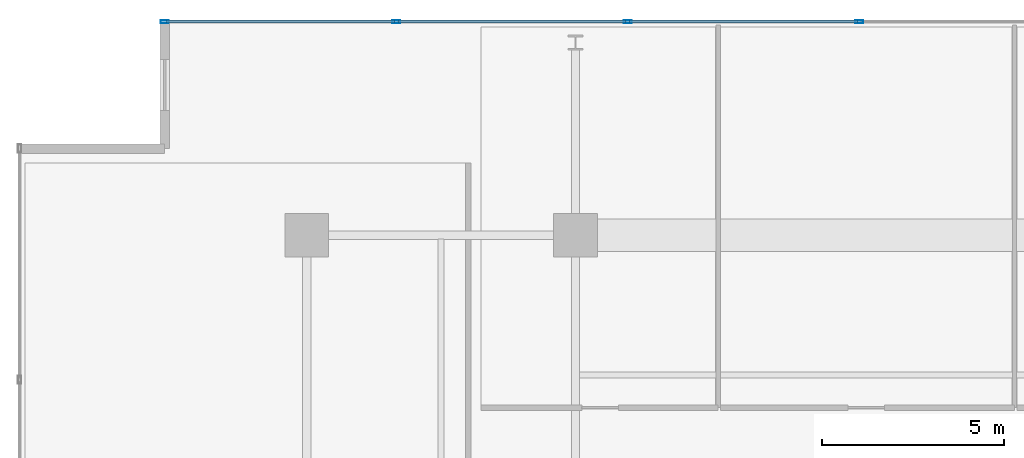
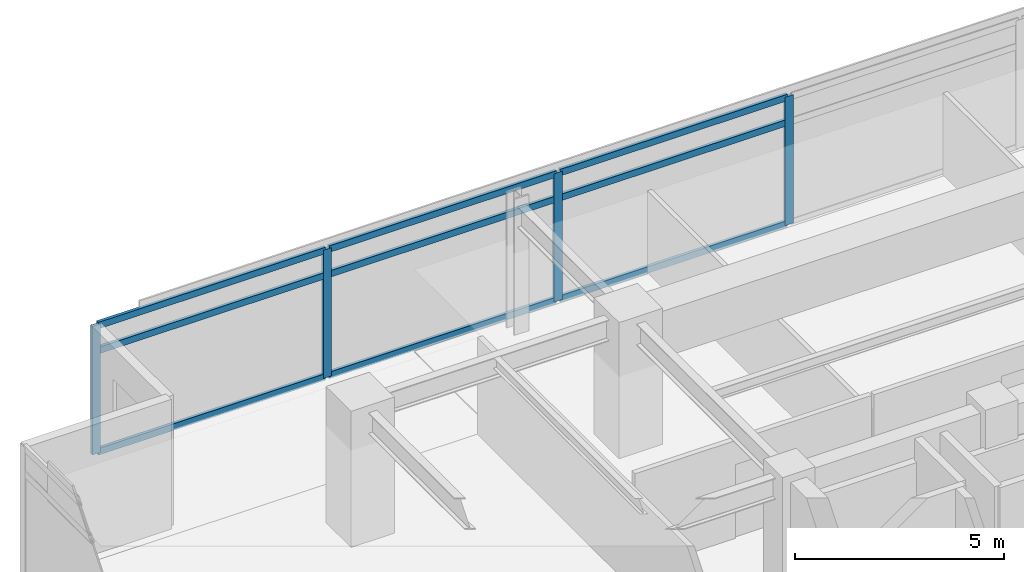
# One storey, part 9 of 21: 13 members, 1 element without a shape of its own.
"""IFC4 building model written with IfcOpenShell, lengths in metres."""

import ifcopenshell
import ifcopenshell.guid

model = None  # the IFC model being written
_history = None  # IfcOwnerHistory: only IFC2X3 demands one
_inside = {}  # id of a spatial element -> (the spatial element, [elements in it])
_under = {}  # id of a project, library or spatial element -> (it, [spatial elements below it])
_declared = {}  # id of a project -> (the project, [libraries it declares])
_typed = {}  # id of a type object -> (the type object, [elements of that type])
_made_of = {}  # id of a material, layer set ... -> (it, [elements and type objects made of it])


def new_model(schema):
    """Start an empty IFC model of exactly this schema.

    Asked for "IFC4X3", IfcOpenShell would pick the latest addendum, in which some entities
    have other attributes; the version numbers below select the first issue.
    IFC2X3 requires an IfcOwnerHistory on every rooted entity: one is made here for all.
    """
    global model, _history
    if schema == "IFC4X3":
        model = ifcopenshell.file(schema_version=(4, 3, 0, 0))
    else:
        model = ifcopenshell.file(schema=schema)
    _inside.clear()
    _under.clear()
    _declared.clear()
    _typed.clear()
    _made_of.clear()
    _history = None
    if model.schema == "IFC2X3":
        org = make("IfcOrganization", Name="unknown")
        user = make(
            "IfcPersonAndOrganization",
            ThePerson=make("IfcPerson", FamilyName="unknown"),
            TheOrganization=org,
        )
        app = make(
            "IfcApplication",
            ApplicationDeveloper=org,
            Version="unknown",
            ApplicationFullName="unknown",
            ApplicationIdentifier="unknown",
        )
        _history = make(
            "IfcOwnerHistory",
            OwningUser=user,
            OwningApplication=app,
            ChangeAction="ADDED",
            CreationDate=0,
        )
    return model


def make(cls, **values):
    """One entity of the class cls with the attributes given. An attribute that is None is left unset."""
    return model.create_entity(
        cls, **{name: value for name, value in values.items() if value is not None}
    )


def rooted(cls, **values):
    """An entity with a GlobalId (a new one), such as an element, a storey or a relation."""
    return make(cls, GlobalId=ifcopenshell.guid.new(), OwnerHistory=_history, **values)


def si_unit(unit_type, name, prefix=None):
    """IfcSIUnit, for example si_unit("LENGTHUNIT", "METRE", prefix="MILLI")."""
    return make("IfcSIUnit", UnitType=unit_type, Prefix=prefix, Name=name)


def assignment(units):
    """IfcUnitAssignment: the units of a project."""
    return None if units is None else make("IfcUnitAssignment", Units=units)


def point(xyz):
    """IfcCartesianPoint."""
    return None if xyz is None else make("IfcCartesianPoint", Coordinates=xyz)


def direction(xyz):
    """IfcDirection."""
    return None if xyz is None else make("IfcDirection", DirectionRatios=xyz)


def frame(location, z_axis=None, x_axis=None):
    """IfcAxis2Placement3D, a coordinate frame: its origin and axes. An axis left out is left unset."""
    return make(
        "IfcAxis2Placement3D",
        Location=point(location),
        Axis=direction(z_axis),
        RefDirection=direction(x_axis),
    )


def frame_2d(location, x_axis=None):
    """IfcAxis2Placement2D, a coordinate frame in the plane: its origin and x axis."""
    return make(
        "IfcAxis2Placement2D", Location=point(location), RefDirection=direction(x_axis)
    )


def origin():
    """The frame at (0, 0, 0) with its axes left unset."""
    return frame((0.0, 0.0, 0.0))


def origin_2d():
    """The frame at (0, 0) in the plane with its x axis left unset."""
    return frame_2d((0.0, 0.0))


def place(relative_to, where):
    """IfcLocalPlacement: puts the frame where relative to a parent placement (None: the world)."""
    return make(
        "IfcLocalPlacement", PlacementRelTo=relative_to, RelativePlacement=where
    )


def context(
    kind, dimensions, precision=None, world=None, true_north=None, identifier=None
):
    """IfcGeometricRepresentationContext, for example the 3D "Model" context."""
    return make(
        "IfcGeometricRepresentationContext",
        ContextIdentifier=identifier,
        ContextType=kind,
        CoordinateSpaceDimension=dimensions,
        Precision=precision,
        WorldCoordinateSystem=world,
        TrueNorth=true_north,
    )


def subcontext(parent, identifier, kind, view, scale=None):
    """IfcGeometricRepresentationSubContext, for example "Body" below "Model"."""
    return make(
        "IfcGeometricRepresentationSubContext",
        ContextIdentifier=identifier,
        ContextType=kind,
        ParentContext=parent,
        TargetScale=scale,
        TargetView=view,
    )


def project(units=None, contexts=None):
    """IfcProject with its units and contexts."""
    return rooted(
        "IfcProject",
        Name="project",
        RepresentationContexts=contexts,
        UnitsInContext=assignment(units),
    )


def spatial(cls, under=None, at=None, **own):
    """A site, building, storey or space (cls), placed at a placement, below another one or the project."""
    s = rooted(cls, ObjectPlacement=at, **own)
    if under is not None:
        _under.setdefault(under.id(), (under, []))[1].append(s)
    return s


def profile(cls, at=None, kind="AREA", **sizes):
    """A parametric profile (cls). Its sizes go by their IFC names, for example OverallWidth=200.0."""
    return make(cls, ProfileType=kind, Position=at, **sizes)


def hollow_rectangle(**sizes):
    """IfcRectangleHollowProfileDef."""
    return profile("IfcRectangleHollowProfileDef", **sizes)


def extrude(swept, where, along, depth):
    """IfcExtrudedAreaSolid: the profile swept, set in the frame where, extruded along a direction by depth."""
    return make(
        "IfcExtrudedAreaSolid",
        SweptArea=swept,
        Position=where,
        ExtrudedDirection=direction(along),
        Depth=depth,
    )


def shape(context_of_items, identifier, shape_type, items):
    """IfcShapeRepresentation: the items that make up one representation, for example the "Body"."""
    return make(
        "IfcShapeRepresentation",
        ContextOfItems=context_of_items,
        RepresentationIdentifier=identifier,
        RepresentationType=shape_type,
        Items=items,
    )


def material(Name=None, Category=None):
    """IfcMaterial."""
    return make("IfcMaterial", Name=Name, Category=Category)


def material_profile(
    of_material, cross_section, Name=None, Category=None, Priority=None
):
    """IfcMaterialProfile: a cross section and its material."""
    return make(
        "IfcMaterialProfile",
        Name=Name,
        Material=of_material,
        Profile=cross_section,
        Priority=Priority,
        Category=Category,
    )


def profile_set(profiles, Name=None, composite=None):
    """IfcMaterialProfileSet."""
    return make(
        "IfcMaterialProfileSet",
        Name=Name,
        MaterialProfiles=profiles,
        CompositeProfile=composite,
    )


def made_of(thing, what):
    """Note that an element or type object is made of a material, layer set ...; save() writes the relation."""
    if what is not None:
        _made_of.setdefault(what.id(), (what, []))[1].append(thing)
    return thing


def type_object(cls, material=None, **own):
    """A type object (cls), such as IfcWallType, which elements share."""
    return made_of(rooted(cls, **own), material)


def element(
    cls,
    number,
    at=None,
    inside=None,
    cuts=None,
    type_object=None,
    material=None,
    context=None,
    identifier="Body",
    shape_type=None,
    held_by="IfcProductDefinitionShape",
    body=None,
    shapes=None,
    **own,
):
    """One element of the class cls, such as IfcWall. Its Tag is "e" and its number.

    at: its placement. inside: the storey or other place that contains it. cuts: it is an
    opening in that element (IfcRelVoidsElement). A single representation is given by context,
    identifier, shape_type and body (its items); several are given by shapes. held_by: the class
    of the entity that holds the representations. save() writes the other relations.
    """
    e = rooted(cls, Tag="e%d" % number, ObjectPlacement=at, **own)
    if body is not None:
        shapes = [shape(context, identifier, shape_type, body)]
    if shapes is not None:
        e.Representation = make(held_by, Representations=shapes)
    if inside is not None:
        _inside.setdefault(inside.id(), (inside, []))[1].append(e)
    if cuts is not None:
        rooted(
            "IfcRelVoidsElement", RelatingBuildingElement=cuts, RelatedOpeningElement=e
        )
    if type_object is not None:
        _typed.setdefault(type_object.id(), (type_object, []))[1].append(e)
    return made_of(e, material)


def aggregate(whole, parts):
    """IfcRelAggregates: a whole, such as a stair, and the parts it consists of."""
    return rooted("IfcRelAggregates", RelatingObject=whole, RelatedObjects=parts)


def save(model, path):
    """Write the relations noted so far, then the file.

    IfcRelAggregates (storeys below a building ...), IfcRelContainedInSpatialStructure (elements
    in a storey), IfcRelDefinesByType, IfcRelAssociatesMaterial and IfcRelDeclares: one each for
    every whole, place, type object, material and project.
    """
    for whole, parts in _under.values():
        aggregate(whole, parts)
    for where, things in _inside.values():
        rooted(
            "IfcRelContainedInSpatialStructure",
            RelatedElements=things,
            RelatingStructure=where,
        )
    for kind, things in _typed.values():
        rooted("IfcRelDefinesByType", RelatedObjects=things, RelatingType=kind)
    for what, things in _made_of.values():
        rooted("IfcRelAssociatesMaterial", RelatedObjects=things, RelatingMaterial=what)
    for by, libraries in _declared.values():
        rooted("IfcRelDeclares", RelatingContext=by, RelatedDefinitions=libraries)
    model.write(path)


model = new_model("IFC4")

# Units and contexts
model_context = context("Model", 3, precision=1e-05, world=origin(), true_north=direction((0.0, 1.0)))
body_context = subcontext(model_context, "Body", "Model", "MODEL_VIEW")
ifc_project = project(units=[si_unit("LENGTHUNIT", "METRE"), si_unit("AREAUNIT", "SQUARE_METRE"), si_unit("VOLUMEUNIT", "CUBIC_METRE"), si_unit("PLANEANGLEUNIT", "RADIAN"), si_unit("MASSUNIT", "GRAM", prefix="KILO")], contexts=[model_context])

# Site, building, storey
site_placement = place(None, origin())
site = spatial("IfcSite", under=ifc_project, at=site_placement, CompositionType="ELEMENT")
building_placement = place(site_placement, origin())
building = spatial("IfcBuilding", under=site, at=building_placement, Name="Kovane Verandah Tower", CompositionType="ELEMENT")
storey_placement = place(building_placement, frame((0.0, 0.0, 263.199951171875)))
storey = spatial("IfcBuildingStorey", under=building, at=storey_placement, Name="L61", CompositionType="ELEMENT", Elevation=263.199951171875)

# Curtain wall, members
ifc_material_1 = material(Name="Champagne Anodised Aluminium Frame with Low-E Clear Laminated Glass", Category="aluminium")
curtain_wall_type = type_object("IfcCurtainWallType", Name="CW-SYS-05-HIGH", PredefinedType="NOTDEFINED", material=ifc_material_1)
curtain_wall_placement = place(storey_placement, origin())
curtain_wall = element("IfcCurtainWall", 1, at=curtain_wall_placement, inside=storey, type_object=curtain_wall_type, Name="L61 N Unitised Curtain Wall", PredefinedType="NOTDEFINED")
ifc_material_2 = material(Name="Champagne Anodised Aluminium 6063-T6", Category="aluminium")
ifc_material_profile_1 = material_profile(ifc_material_2, hollow_rectangle(XDim=0.0849609375, YDim=0.22998046875, WallThickness=0.00390625, at=origin_2d()), Name="AL85x230x4")
ifc_profile_set_1 = profile_set([ifc_material_profile_1], Name="Champagne Anodised Aluminium 6063-T6")
member_type_1 = type_object("IfcMemberType", Name="CW-MUL-85x230", PredefinedType="MULLION", material=ifc_profile_set_1)
member_1_placement = place(storey_placement, frame((36.813232421875, 50.080078125, 0.02001953125), z_axis=(0.0, 0.0, 1.0), x_axis=(0.0, 1.0, 0.0)))
member_1 = element("IfcMember", 2, at=member_1_placement, type_object=member_type_1, Name="L61 N Unitised Curtain Wall Mullion 5", PredefinedType="MULLION", context=body_context, shape_type="SweptSolid", body=[
    extrude(hollow_rectangle(XDim=0.0849609375, YDim=0.22998046875, WallThickness=0.00390625, at=origin_2d()), origin(), (0.0, 0.0, 1.0), 3.7451171875),
])
member_2_placement = place(storey_placement, frame((30.439697265625, 50.080078125, 0.02001953125), z_axis=(0.0, 0.0, 1.0), x_axis=(0.0, 1.0, 0.0)))
member_2 = element("IfcMember", 3, at=member_2_placement, type_object=member_type_1, Name="L61 N Unitised Curtain Wall Mullion 6", PredefinedType="MULLION", context=body_context, shape_type="SweptSolid", body=[
    extrude(hollow_rectangle(XDim=0.0849609375, YDim=0.22998046875, WallThickness=0.00390625, at=origin_2d()), origin(), (0.0, 0.0, 1.0), 3.7451171875),
])
member_3_placement = place(storey_placement, frame((24.06591796875, 50.080078125, 0.02001953125), z_axis=(0.0, 0.0, 1.0), x_axis=(0.0, 1.0, 0.0)))
member_3 = element("IfcMember", 4, at=member_3_placement, type_object=member_type_1, Name="L61 N Unitised Curtain Wall Mullion 7", PredefinedType="MULLION", context=body_context, shape_type="SweptSolid", body=[
    extrude(hollow_rectangle(XDim=0.0849609375, YDim=0.22998046875, WallThickness=0.00390625, at=origin_2d()), origin(), (0.0, 0.0, 1.0), 3.7451171875),
])
member_4_placement = place(storey_placement, frame((17.6923828125, 50.080078125, 0.02001953125), z_axis=(0.0, 0.0, 1.0), x_axis=(0.0, 1.0, 0.0)))
member_4 = element("IfcMember", 5, at=member_4_placement, type_object=member_type_1, Name="L61 N Unitised Curtain Wall Mullion 8", PredefinedType="MULLION", context=body_context, shape_type="SweptSolid", body=[
    extrude(hollow_rectangle(XDim=0.0849609375, YDim=0.22998046875, WallThickness=0.00390625, at=origin_2d()), origin(), (0.0, 0.0, 1.0), 3.7451171875),
])
ifc_material_profile_2 = material_profile(ifc_material_2, hollow_rectangle(XDim=0.0849609375, YDim=0.18994140625, WallThickness=0.00390625, at=origin_2d()), Name="AL85x190x4")
ifc_profile_set_2 = profile_set([ifc_material_profile_2], Name="Champagne Anodised Aluminium 6063-T6")
member_type_2 = type_object("IfcMemberType", Name="CW-TRN-85x190", PredefinedType="USERDEFINED", material=ifc_profile_set_2)
member_5_placement = place(storey_placement, frame((36.76318359375, 50.080078125, 0.050048828125), z_axis=(-1.0, 0.0, 0.0), x_axis=(0.0, -1.0, 0.0)))
member_5 = element("IfcMember", 6, at=member_5_placement, type_object=member_type_2, Name="L61 N Unitised Curtain Wall Transom TB Bay 5", ObjectType="TRANSOM", PredefinedType="USERDEFINED", context=body_context, shape_type="SweptSolid", body=[
    extrude(hollow_rectangle(XDim=0.0849609375, YDim=0.18994140625, WallThickness=0.00390625, at=origin_2d()), origin(), (0.0, 0.0, 1.0), 6.273681640625),
])
member_6_placement = place(storey_placement, frame((36.76318359375, 50.080078125, 3.005126953125), z_axis=(-1.0, 0.0, 0.0), x_axis=(0.0, -1.0, 0.0)))
member_6 = element("IfcMember", 7, at=member_6_placement, type_object=member_type_2, Name="L61 N Unitised Curtain Wall Transom TM Bay 5", ObjectType="TRANSOM", PredefinedType="USERDEFINED", context=body_context, shape_type="SweptSolid", body=[
    extrude(hollow_rectangle(XDim=0.0849609375, YDim=0.18994140625, WallThickness=0.00390625, at=origin_2d()), origin(), (0.0, 0.0, 1.0), 6.273681640625),
])
member_7_placement = place(storey_placement, frame((36.76318359375, 50.080078125, 3.735107421875), z_axis=(-1.0, 0.0, 0.0), x_axis=(0.0, -1.0, 0.0)))
member_7 = element("IfcMember", 8, at=member_7_placement, type_object=member_type_2, Name="L61 N Unitised Curtain Wall Transom TT Bay 5", ObjectType="TRANSOM", PredefinedType="USERDEFINED", context=body_context, shape_type="SweptSolid", body=[
    extrude(hollow_rectangle(XDim=0.0849609375, YDim=0.18994140625, WallThickness=0.00390625, at=origin_2d()), origin(), (0.0, 0.0, 1.0), 6.273681640625),
])
member_8_placement = place(storey_placement, frame((30.3896484375, 50.080078125, 0.050048828125), z_axis=(-1.0, 0.0, 0.0), x_axis=(0.0, -1.0, 0.0)))
member_8 = element("IfcMember", 9, at=member_8_placement, type_object=member_type_2, Name="L61 N Unitised Curtain Wall Transom TB Bay 6", ObjectType="TRANSOM", PredefinedType="USERDEFINED", context=body_context, shape_type="SweptSolid", body=[
    extrude(hollow_rectangle(XDim=0.0849609375, YDim=0.18994140625, WallThickness=0.00390625, at=origin_2d()), origin(), (0.0, 0.0, 1.0), 6.273681640625),
])
member_9_placement = place(storey_placement, frame((30.3896484375, 50.080078125, 3.005126953125), z_axis=(-1.0, 0.0, 0.0), x_axis=(0.0, -1.0, 0.0)))
member_9 = element("IfcMember", 10, at=member_9_placement, type_object=member_type_2, Name="L61 N Unitised Curtain Wall Transom TM Bay 6", ObjectType="TRANSOM", PredefinedType="USERDEFINED", context=body_context, shape_type="SweptSolid", body=[
    extrude(hollow_rectangle(XDim=0.0849609375, YDim=0.18994140625, WallThickness=0.00390625, at=origin_2d()), origin(), (0.0, 0.0, 1.0), 6.273681640625),
])
member_10_placement = place(storey_placement, frame((30.3896484375, 50.080078125, 3.735107421875), z_axis=(-1.0, 0.0, 0.0), x_axis=(0.0, -1.0, 0.0)))
member_10 = element("IfcMember", 11, at=member_10_placement, type_object=member_type_2, Name="L61 N Unitised Curtain Wall Transom TT Bay 6", ObjectType="TRANSOM", PredefinedType="USERDEFINED", context=body_context, shape_type="SweptSolid", body=[
    extrude(hollow_rectangle(XDim=0.0849609375, YDim=0.18994140625, WallThickness=0.00390625, at=origin_2d()), origin(), (0.0, 0.0, 1.0), 6.273681640625),
])
member_11_placement = place(storey_placement, frame((24.01611328125, 50.080078125, 0.050048828125), z_axis=(-1.0, 0.0, 0.0), x_axis=(0.0, -1.0, 0.0)))
member_11 = element("IfcMember", 12, at=member_11_placement, type_object=member_type_2, Name="L61 N Unitised Curtain Wall Transom TB Bay 7", ObjectType="TRANSOM", PredefinedType="USERDEFINED", context=body_context, shape_type="SweptSolid", body=[
    extrude(hollow_rectangle(XDim=0.0849609375, YDim=0.18994140625, WallThickness=0.00390625, at=origin_2d()), origin(), (0.0, 0.0, 1.0), 6.273681640625),
])
member_12_placement = place(storey_placement, frame((24.01611328125, 50.080078125, 3.005126953125), z_axis=(-1.0, 0.0, 0.0), x_axis=(0.0, -1.0, 0.0)))
member_12 = element("IfcMember", 13, at=member_12_placement, type_object=member_type_2, Name="L61 N Unitised Curtain Wall Transom TM Bay 7", ObjectType="TRANSOM", PredefinedType="USERDEFINED", context=body_context, shape_type="SweptSolid", body=[
    extrude(hollow_rectangle(XDim=0.0849609375, YDim=0.18994140625, WallThickness=0.00390625, at=origin_2d()), origin(), (0.0, 0.0, 1.0), 6.273681640625),
])
member_13_placement = place(storey_placement, frame((24.01611328125, 50.080078125, 3.735107421875), z_axis=(-1.0, 0.0, 0.0), x_axis=(0.0, -1.0, 0.0)))
member_13 = element("IfcMember", 14, at=member_13_placement, type_object=member_type_2, Name="L61 N Unitised Curtain Wall Transom TT Bay 7", ObjectType="TRANSOM", PredefinedType="USERDEFINED", context=body_context, shape_type="SweptSolid", body=[
    extrude(hollow_rectangle(XDim=0.0849609375, YDim=0.18994140625, WallThickness=0.00390625, at=origin_2d()), origin(), (0.0, 0.0, 1.0), 6.273681640625),
])
aggregate(curtain_wall, [member_1, member_2, member_3, member_4, member_5, member_6, member_7, member_8, member_9, member_10, member_11, member_12, member_13])

save(model, "model.ifc")
